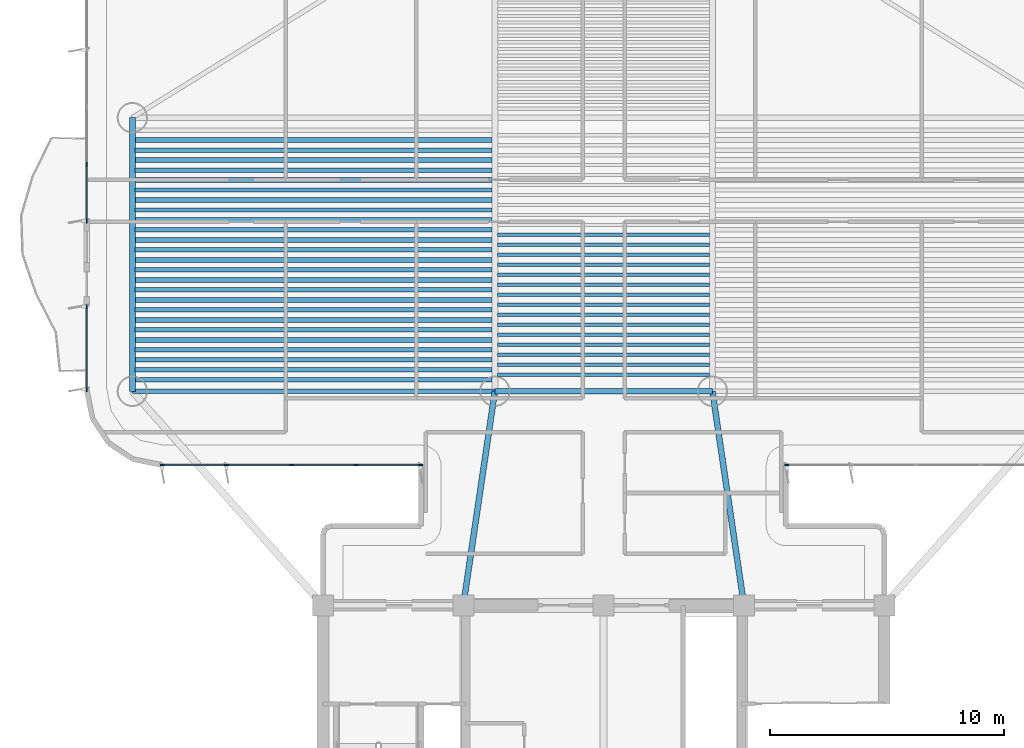
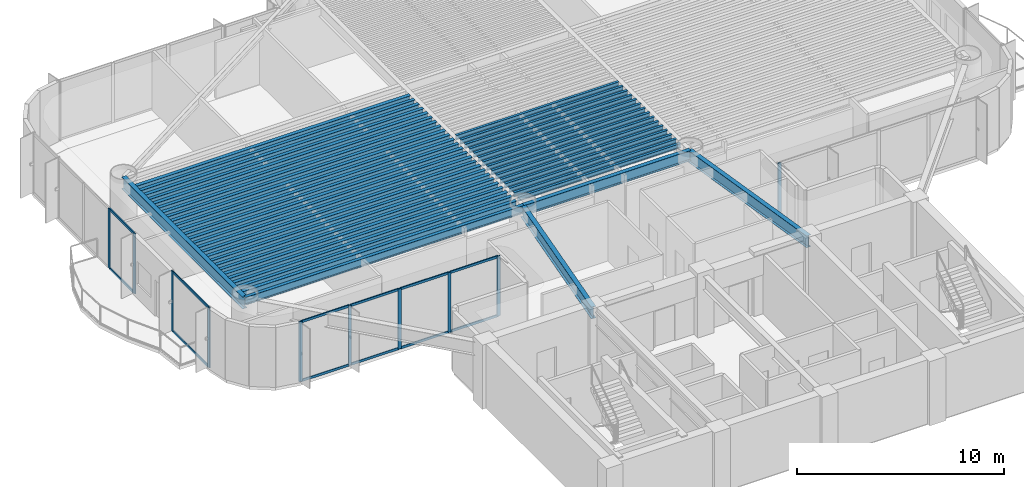
# One storey, part 2 of 16: 45 beams, 22 members, 4 elements without a shape of their own.
"""IFC4 building model written with IfcOpenShell, lengths in metres."""

from ifc_helpers import new_model, si_unit, direction, frame, origin, origin_2d, place, context, subcontext, project, spatial, rectangle, i_section, extrude, source, transform, mapped, material, layer, layer_set, material_profile, profile_set, type_object, element, aggregate, save


model = new_model("IFC4")

# Units and contexts
model_context = context("Model", 3, precision=1e-05, world=origin(), true_north=direction((0.0, 1.0)))
body_context = subcontext(model_context, "Body", "Model", "MODEL_VIEW")
ifc_project = project(units=[si_unit("LENGTHUNIT", "METRE"), si_unit("AREAUNIT", "SQUARE_METRE"), si_unit("VOLUMEUNIT", "CUBIC_METRE"), si_unit("PLANEANGLEUNIT", "RADIAN"), si_unit("MASSUNIT", "GRAM", prefix="KILO")], contexts=[model_context])

# Site, building, storey
site_placement = place(None, origin())
site = spatial("IfcSite", under=ifc_project, at=site_placement, CompositionType="ELEMENT")
building_placement = place(site_placement, origin())
building = spatial("IfcBuilding", under=site, at=building_placement, Name="Brelvock Crest Care Tower", CompositionType="ELEMENT")
storey_placement = place(building_placement, frame((0.0, 0.0, 120.06005859375)))
storey = spatial("IfcBuildingStorey", under=building, at=storey_placement, Name="L30", CompositionType="ELEMENT", Elevation=120.06005859375)

# Beams
ifc_material_1 = material(Name="Steel Grade 350", Category="steel")
ifc_material_profile_1 = material_profile(ifc_material_1, i_section(OverallWidth=0.22900390625, OverallDepth=0.612060546875, WebThickness=0.011962890625, FlangeThickness=0.01953125, FilletRadius=0.013916015625, at=origin_2d()), Name="610UB125")
ifc_profile_set_1 = profile_set([ifc_material_profile_1], Name="Steel Grade 350")
beam_type_1 = type_object("IfcBeamType", Name="BM-G1", PredefinedType="BEAM", material=ifc_profile_set_1)
shared_shape_1 = source(origin(), body_context, "Body", "SweptSolid", [
    extrude(i_section(OverallWidth=0.22900390625, OverallDepth=0.612060546875, WebThickness=0.011962890625, FlangeThickness=0.01953125, FilletRadius=0.013916015625, at=origin_2d()), origin(), (0.0, 0.0, 1.0), 9.2998046875),
])
beam_1_placement = place(storey_placement, frame((31.35009765625, 27.14990234375, 3.223876953125), z_axis=(1.0, 0.0, 0.0), x_axis=(0.0, 1.0, 0.0)))
element("IfcBeam", 1, at=beam_1_placement, inside=storey, type_object=beam_type_1, Name="BM-TWR-L30-05", PredefinedType="BEAM", context=body_context, shape_type="MappedRepresentation", body=[
    mapped(shared_shape_1, transform((0.0, 0.0, 0.0), x_axis=(1.0, 0.0, 0.0), y_axis=(0.0, 1.0, 0.0), z_axis=(0.0, 0.0, 1.0), scale=1.0)),
])
ifc_material_profile_2 = material_profile(ifc_material_1, i_section(OverallWidth=0.14599609375, OverallDepth=0.256103515625, WebThickness=0.00634765625, FlangeThickness=0.010986328125, FilletRadius=0.0087890625, at=origin_2d()), Name="250UB37.3")
ifc_profile_set_2 = profile_set([ifc_material_profile_2], Name="Steel Grade 350")
beam_type_2 = type_object("IfcBeamType", Name="BM-J3", PredefinedType="JOIST", material=ifc_profile_set_2)
shared_shape_2 = source(origin(), body_context, "Body", "SweptSolid", [
    extrude(i_section(OverallWidth=0.14599609375, OverallDepth=0.256103515625, WebThickness=0.00634765625, FlangeThickness=0.010986328125, FilletRadius=0.0087890625, at=origin_2d()), origin(), (0.0, 0.0, 1.0), 9.06982421875),
])
for number, where, z_axis, x_axis, name in (
    (2, (31.465087890625, 27.85498046875, 3.40185546875), (1.0, 0.0, 0.0), (0.0, 1.0, 0.0), "BM-JH-L30-1"),
    (3, (31.465087890625, 28.281982421875, 3.40185546875), (1.0, 0.0, 0.0), (0.0, 1.0, 0.0), "BM-JH-L30-2"),
    (4, (31.465087890625, 28.708984375, 3.40185546875), (1.0, 0.0, 0.0), (0.0, 1.0, 0.0), "BM-JH-L30-3"),
    (5, (31.465087890625, 29.135986328125, 3.40185546875), (1.0, 0.0, 0.0), (0.0, 1.0, 0.0), "BM-JH-L30-4"),
    (6, (31.465087890625, 29.56298828125, 3.40185546875), (1.0, 0.0, 0.0), (0.0, 1.0, 0.0), "BM-JH-L30-5"),
    (7, (31.465087890625, 29.990234375, 3.40185546875), (1.0, 0.0, 0.0), (0.0, 1.0, 0.0), "BM-JH-L30-6"),
    (8, (31.465087890625, 30.417236328125, 3.40185546875), (1.0, 0.0, 0.0), (0.0, 1.0, 0.0), "BM-JH-L30-7"),
    (9, (31.465087890625, 30.84423828125, 3.40185546875), (1.0, 0.0, 0.0), (0.0, 1.0, 0.0), "BM-JH-L30-8"),
    (10, (31.465087890625, 31.271240234375, 3.40185546875), (1.0, 0.0, 0.0), (0.0, 1.0, 0.0), "BM-JH-L30-9"),
    (11, (31.465087890625, 31.698486328125, 3.40185546875), (1.0, 0.0, 0.0), (0.0, 1.0, 0.0), "BM-JH-L30-10"),
    (12, (31.465087890625, 32.12548828125, 3.40185546875), (1.0, 0.0, 0.0), (0.0, 1.0, 0.0), "BM-JH-L30-11"),
    (13, (31.465087890625, 32.552490234375, 3.40185546875), (1.0, 0.0, 0.0), (0.0, 1.0, 0.0), "BM-JH-L30-12"),
    (14, (31.465087890625, 32.9794921875, 3.40185546875), (1.0, 0.0, 0.0), (0.0, 1.0, 0.0), "BM-JH-L30-13"),
    (15, (31.465087890625, 33.406494140625, 3.40185546875), (1.0, 0.0, 0.0), (0.0, 1.0, 0.0), "BM-JH-L30-14"),
    (16, (31.465087890625, 33.83349609375, 3.40185546875), (1.0, 0.0, 0.0), (0.0, 1.0, 0.0), "BM-JH-L30-15"),
):
    element("IfcBeam", number, at=place(storey_placement, frame(where, z_axis=z_axis, x_axis=x_axis)), inside=storey, type_object=beam_type_2, Name=name, PredefinedType="JOIST", context=body_context, shape_type="MappedRepresentation", body=[
        mapped(shared_shape_2, transform((0.0, 0.0, 0.0), x_axis=(1.0, 0.0, 0.0), y_axis=(0.0, 1.0, 0.0), z_axis=(0.0, 0.0, 1.0), scale=1.0)),
    ])
ifc_material_profile_3 = material_profile(ifc_material_1, i_section(OverallWidth=0.208984375, OverallDepth=0.532958984375, WebThickness=0.01025390625, FlangeThickness=0.015625, FilletRadius=0.013916015625, at=origin_2d()), Name="530UB92.4")
ifc_profile_set_3 = profile_set([ifc_material_profile_3], Name="Steel Grade 350")
beam_type_3 = type_object("IfcBeamType", Name="BM-G2", PredefinedType="BEAM", material=ifc_profile_set_3)
shared_shape_3 = source(origin(), body_context, "Body", "SweptSolid", [
    extrude(i_section(OverallWidth=0.208984375, OverallDepth=0.532958984375, WebThickness=0.01025390625, FlangeThickness=0.015625, FilletRadius=0.013916015625, at=origin_2d()), origin(), (0.0, 0.0, 1.0), 15.27001953125),
])
for number, where, z_axis, x_axis, name in (
    (17, (15.965087890625, 27.641357421875, 3.263427734375), (1.0, 0.0, 0.0), (0.0, 1.0, 0.0), "BM-JW-L30-1"),
    (18, (15.965087890625, 28.49560546875, 3.263427734375), (1.0, 0.0, 0.0), (0.0, 1.0, 0.0), "BM-JW-L30-3"),
    (19, (15.965087890625, 29.349609375, 3.263427734375), (1.0, 0.0, 0.0), (0.0, 1.0, 0.0), "BM-JW-L30-5"),
    (20, (15.965087890625, 30.20361328125, 3.263427734375), (1.0, 0.0, 0.0), (0.0, 1.0, 0.0), "BM-JW-L30-7"),
    (21, (15.965087890625, 31.057861328125, 3.263427734375), (1.0, 0.0, 0.0), (0.0, 1.0, 0.0), "BM-JW-L30-9"),
    (22, (15.965087890625, 31.911865234375, 3.263427734375), (1.0, 0.0, 0.0), (0.0, 1.0, 0.0), "BM-JW-L30-11"),
    (23, (15.965087890625, 32.76611328125, 3.263427734375), (1.0, 0.0, 0.0), (0.0, 1.0, 0.0), "BM-JW-L30-13"),
    (24, (15.965087890625, 33.6201171875, 3.263427734375), (1.0, 0.0, 0.0), (0.0, 1.0, 0.0), "BM-JW-L30-15"),
    (25, (15.965087890625, 34.47412109375, 3.263427734375), (1.0, 0.0, 0.0), (0.0, 1.0, 0.0), "BM-JW-L30-17"),
    (26, (15.965087890625, 35.328369140625, 3.263427734375), (1.0, 0.0, 0.0), (0.0, 1.0, 0.0), "BM-JW-L30-19"),
    (27, (15.965087890625, 36.182373046875, 3.263427734375), (1.0, 0.0, 0.0), (0.0, 1.0, 0.0), "BM-JW-L30-21"),
    (28, (15.965087890625, 37.03662109375, 3.263427734375), (1.0, 0.0, 0.0), (0.0, 1.0, 0.0), "BM-JW-L30-23"),
    (29, (15.965087890625, 37.890625, 3.263427734375), (1.0, 0.0, 0.0), (0.0, 1.0, 0.0), "BM-JW-L30-25"),
):
    element("IfcBeam", number, at=place(storey_placement, frame(where, z_axis=z_axis, x_axis=x_axis)), inside=storey, type_object=beam_type_3, Name=name, PredefinedType="BEAM", context=body_context, shape_type="MappedRepresentation", body=[
        mapped(shared_shape_3, transform((0.0, 0.0, 0.0), x_axis=(1.0, 0.0, 0.0), y_axis=(0.0, 1.0, 0.0), z_axis=(0.0, 0.0, 1.0), scale=1.0)),
    ])
ifc_material_profile_4 = material_profile(ifc_material_1, i_section(OverallWidth=0.19091796875, OverallDepth=0.4599609375, WebThickness=0.010009765625, FlangeThickness=0.01611328125, FilletRadius=0.011474609375, at=origin_2d()), Name="460UB82.1")
ifc_profile_set_4 = profile_set([ifc_material_profile_4], Name="Steel Grade 350")
beam_type_4 = type_object("IfcBeamType", Name="BM-G3", PredefinedType="BEAM", material=ifc_profile_set_4)
shared_shape_4 = source(origin(), body_context, "Body", "SweptSolid", [
    extrude(i_section(OverallWidth=0.19091796875, OverallDepth=0.4599609375, WebThickness=0.010009765625, FlangeThickness=0.01611328125, FilletRadius=0.011474609375, at=origin_2d()), origin(), (0.0, 0.0, 1.0), 15.27001953125),
])
for number, where, z_axis, x_axis, name in (
    (30, (15.965087890625, 28.068359375, 3.300048828125), (1.0, 0.0, 0.0), (0.0, 1.0, 0.0), "BM-JW-L30-2"),
    (31, (15.965087890625, 28.922607421875, 3.300048828125), (1.0, 0.0, 0.0), (0.0, 1.0, 0.0), "BM-JW-L30-4"),
    (32, (15.965087890625, 29.776611328125, 3.300048828125), (1.0, 0.0, 0.0), (0.0, 1.0, 0.0), "BM-JW-L30-6"),
    (33, (15.965087890625, 30.630615234375, 3.300048828125), (1.0, 0.0, 0.0), (0.0, 1.0, 0.0), "BM-JW-L30-8"),
    (34, (15.965087890625, 31.48486328125, 3.300048828125), (1.0, 0.0, 0.0), (0.0, 1.0, 0.0), "BM-JW-L30-10"),
    (35, (15.965087890625, 32.3388671875, 3.300048828125), (1.0, 0.0, 0.0), (0.0, 1.0, 0.0), "BM-JW-L30-12"),
    (36, (15.965087890625, 33.193115234375, 3.300048828125), (1.0, 0.0, 0.0), (0.0, 1.0, 0.0), "BM-JW-L30-14"),
    (37, (15.965087890625, 34.047119140625, 3.300048828125), (1.0, 0.0, 0.0), (0.0, 1.0, 0.0), "BM-JW-L30-16"),
    (38, (15.965087890625, 34.901123046875, 3.300048828125), (1.0, 0.0, 0.0), (0.0, 1.0, 0.0), "BM-JW-L30-18"),
    (39, (15.965087890625, 35.75537109375, 3.300048828125), (1.0, 0.0, 0.0), (0.0, 1.0, 0.0), "BM-JW-L30-20"),
    (40, (15.965087890625, 36.609619140625, 3.300048828125), (1.0, 0.0, 0.0), (0.0, 1.0, 0.0), "BM-JW-L30-22"),
    (41, (15.965087890625, 37.46337890625, 3.300048828125), (1.0, 0.0, 0.0), (0.0, 1.0, 0.0), "BM-JW-L30-24"),
):
    element("IfcBeam", number, at=place(storey_placement, frame(where, z_axis=z_axis, x_axis=x_axis)), inside=storey, type_object=beam_type_4, Name=name, PredefinedType="BEAM", context=body_context, shape_type="MappedRepresentation", body=[
        mapped(shared_shape_4, transform((0.0, 0.0, 0.0), x_axis=(1.0, 0.0, 0.0), y_axis=(0.0, 1.0, 0.0), z_axis=(0.0, 0.0, 1.0), scale=1.0)),
    ])
ifc_material_profile_5 = material_profile(ifc_material_1, i_section(OverallWidth=0.25, OverallDepth=0.699951171875, WebThickness=0.011962890625, FlangeThickness=0.02001953125, at=origin_2d()), Name="700WB150")
ifc_profile_set_5 = profile_set([ifc_material_profile_5], Name="Steel Grade 350")
beam_type_5 = type_object("IfcBeamType", Name="BM-G4", PredefinedType="BEAM", material=ifc_profile_set_5)
shared_shape_5 = source(origin(), body_context, "Body", "SweptSolid", [
    extrude(i_section(OverallWidth=0.25, OverallDepth=0.699951171875, WebThickness=0.011962890625, FlangeThickness=0.02001953125, at=origin_2d()), origin(), (0.0, 0.0, 1.0), 11.7001953125),
])
beam_2_placement = place(storey_placement, frame((15.85009765625, 27.14990234375, 3.179931640625), z_axis=(0.0, 1.0, 0.0), x_axis=(-1.0, 0.0, 0.0)))
element("IfcBeam", 42, at=beam_2_placement, inside=storey, type_object=beam_type_5, Name="BM-TWR-L30-01", PredefinedType="BEAM", context=body_context, shape_type="MappedRepresentation", body=[
    mapped(shared_shape_5, transform((0.0, 0.0, 0.0), x_axis=(1.0, 0.0, 0.0), y_axis=(0.0, 1.0, 0.0), z_axis=(0.0, 0.0, 1.0), scale=1.0)),
])
ifc_material_profile_6 = material_profile(ifc_material_1, i_section(OverallWidth=0.19091796875, OverallDepth=0.4599609375, WebThickness=0.010009765625, FlangeThickness=0.01611328125, FilletRadius=0.011474609375, at=origin_2d()), Name="460UB82.1")
ifc_profile_set_6 = profile_set([ifc_material_profile_6], Name="Steel Grade 350")
beam_type_6 = type_object("IfcBeamType", Name="BM-SP2", PredefinedType="SPANDREL", material=ifc_profile_set_6)
shared_shape_6 = source(origin(), body_context, "Body", "SweptSolid", [
    extrude(i_section(OverallWidth=0.19091796875, OverallDepth=0.4599609375, WebThickness=0.010009765625, FlangeThickness=0.01611328125, FilletRadius=0.011474609375, at=origin_2d()), origin(), (0.0, 0.0, 1.0), 15.5),
])
beam_3_placement = place(storey_placement, frame((15.85009765625, 27.14990234375, 3.300048828125), z_axis=(1.0, 0.0, 0.0), x_axis=(0.0, 1.0, 0.0)))
element("IfcBeam", 43, at=beam_3_placement, inside=storey, type_object=beam_type_6, Name="BM-TWR-L30-03", PredefinedType="SPANDREL", context=body_context, shape_type="MappedRepresentation", body=[
    mapped(shared_shape_6, transform((0.0, 0.0, 0.0), x_axis=(1.0, 0.0, 0.0), y_axis=(0.0, 1.0, 0.0), z_axis=(0.0, 0.0, 1.0), scale=1.0)),
])
shared_shape_7 = source(origin(), body_context, "Body", "SweptSolid", [
    extrude(i_section(OverallWidth=0.25, OverallDepth=0.699951171875, WebThickness=0.011962890625, FlangeThickness=0.02001953125, at=origin_2d()), origin(), (0.0, 0.0, 1.0), 9.2490234375),
])
for number, where, z_axis, x_axis, name in (
    (44, (30.0, 18.0, 3.179931640625), (0.145972731602, 0.989288613918, 0.0), (-0.989288613918, 0.145972731602, 0.0), "BM-THRW-L30"),
    (45, (42.0, 18.0, 3.179931640625), (-0.145972731602, 0.989288613918, 0.0), (-0.989288613918, -0.145972731602, 0.0), "BM-THRE-L30"),
):
    element("IfcBeam", number, at=place(storey_placement, frame(where, z_axis=z_axis, x_axis=x_axis)), inside=storey, type_object=beam_type_5, Name=name, PredefinedType="BEAM", context=body_context, shape_type="MappedRepresentation", body=[
        mapped(shared_shape_7, transform((0.0, 0.0, 0.0), x_axis=(1.0, 0.0, 0.0), y_axis=(0.0, 1.0, 0.0), z_axis=(0.0, 0.0, 1.0), scale=1.0)),
    ])

# Curtain wall, members
ifc_material_2 = material(Name="Dark Glass Double Glazed Low-E", Category="glass")
ifc_layer = layer(ifc_material_2, 0.2099609375, Name="CWS-3")
ifc_layer_set = layer_set([ifc_layer], Name="Dark Glass Double Glazed Low-E")
curtain_wall_type = type_object("IfcCurtainWallType", Name="CWS-3", PredefinedType="NOTDEFINED", material=ifc_layer_set)
curtain_wall_1_placement = place(storey_placement, origin())
curtain_wall_1 = element("IfcCurtainWall", 46, at=curtain_wall_1_placement, inside=storey, type_object=curtain_wall_type, Name="L30 Curtain Wall E12", PredefinedType="NOTDEFINED")
ifc_material_3 = material(Name="Aluminium 6063-T6", Category="aluminium")
ifc_material_profile_7 = material_profile(ifc_material_3, rectangle(XDim=0.06005859375, YDim=0.179931640625, at=origin_2d()), Name="ALU60x180")
ifc_profile_set_7 = profile_set([ifc_material_profile_7], Name="Aluminium 6063-T6")
member_type_1 = type_object("IfcMemberType", Name="CWM-2", PredefinedType="MULLION", material=ifc_profile_set_7)
shared_shape_8 = source(origin(), body_context, "Body", "SweptSolid", [
    extrude(rectangle(XDim=0.06005859375, YDim=0.179931640625, at=origin_2d()), origin(), (0.0, 0.0, 1.0), 3.530029296875),
])
member_1_placement = place(storey_placement, frame((28.169921875, 24.0, 0.0), z_axis=(0.0, 0.0, 1.0), x_axis=(0.0, -1.0, 0.0)))
member_1 = element("IfcMember", 47, at=member_1_placement, type_object=member_type_1, Name="CW-3 mullion 1", PredefinedType="MULLION", context=body_context, shape_type="MappedRepresentation", body=[
    mapped(shared_shape_8, transform((0.0, 0.0, 0.0), x_axis=(1.0, 0.0, 0.0), y_axis=(0.0, 1.0, 0.0), z_axis=(0.0, 0.0, 1.0), scale=1.0)),
])
member_2_placement = place(storey_placement, frame((25.425048828125, 24.0, 0.0), z_axis=(0.0, 0.0, 1.0), x_axis=(0.0, -1.0, 0.0)))
member_2 = element("IfcMember", 48, at=member_2_placement, type_object=member_type_1, Name="CW-3 mullion 2", PredefinedType="MULLION", context=body_context, shape_type="MappedRepresentation", body=[
    mapped(shared_shape_8, transform((0.0, 0.0, 0.0), x_axis=(1.0, 0.0, 0.0), y_axis=(0.0, 1.0, 0.0), z_axis=(0.0, 0.0, 1.0), scale=1.0)),
])
member_3_placement = place(storey_placement, frame((22.64990234375, 24.0, 0.0), z_axis=(0.0, 0.0, 1.0), x_axis=(0.0, -1.0, 0.0)))
member_3 = element("IfcMember", 49, at=member_3_placement, type_object=member_type_1, Name="CW-3 mullion 3", PredefinedType="MULLION", context=body_context, shape_type="MappedRepresentation", body=[
    mapped(shared_shape_8, transform((0.0, 0.0, 0.0), x_axis=(1.0, 0.0, 0.0), y_axis=(0.0, 1.0, 0.0), z_axis=(0.0, 0.0, 1.0), scale=1.0)),
])
member_4_placement = place(storey_placement, frame((19.875, 24.0, 0.0), z_axis=(0.0, 0.0, 1.0), x_axis=(0.0, -1.0, 0.0)))
member_4 = element("IfcMember", 50, at=member_4_placement, type_object=member_type_1, Name="CW-3 mullion 4", PredefinedType="MULLION", context=body_context, shape_type="MappedRepresentation", body=[
    mapped(shared_shape_8, transform((0.0, 0.0, 0.0), x_axis=(1.0, 0.0, 0.0), y_axis=(0.0, 1.0, 0.0), z_axis=(0.0, 0.0, 1.0), scale=1.0)),
])
member_5_placement = place(storey_placement, frame((17.1298828125, 24.0, 0.0), z_axis=(0.0, 0.0, 1.0), x_axis=(0.0, -1.0, 0.0)))
member_5 = element("IfcMember", 51, at=member_5_placement, type_object=member_type_1, Name="CW-3 mullion 5", PredefinedType="MULLION", context=body_context, shape_type="MappedRepresentation", body=[
    mapped(shared_shape_8, transform((0.0, 0.0, 0.0), x_axis=(1.0, 0.0, 0.0), y_axis=(0.0, 1.0, 0.0), z_axis=(0.0, 0.0, 1.0), scale=1.0)),
])

curtain_wall_2_placement = place(storey_placement, origin())
curtain_wall_2 = element("IfcCurtainWall", 52, at=curtain_wall_2_placement, inside=storey, type_object=curtain_wall_type, Name="L30 Curtain Wall E17A", PredefinedType="NOTDEFINED")
member_6_placement = place(storey_placement, frame((13.89990234375, 27.22998046875, 0.0), z_axis=(0.0, 0.0, 1.0), x_axis=(-1.0, 0.0, 0.0)))
member_6 = element("IfcMember", 53, at=member_6_placement, type_object=member_type_1, Name="CW-3 mullion 1", PredefinedType="MULLION", context=body_context, shape_type="MappedRepresentation", body=[
    mapped(shared_shape_8, transform((0.0, 0.0, 0.0), x_axis=(1.0, 0.0, 0.0), y_axis=(0.0, 1.0, 0.0), z_axis=(0.0, 0.0, 1.0), scale=1.0)),
])
member_7_placement = place(storey_placement, frame((13.89990234375, 30.77001953125, 0.0), z_axis=(0.0, 0.0, 1.0), x_axis=(-1.0, 0.0, 0.0)))
member_7 = element("IfcMember", 54, at=member_7_placement, type_object=member_type_1, Name="CW-3 mullion 2", PredefinedType="MULLION", context=body_context, shape_type="MappedRepresentation", body=[
    mapped(shared_shape_8, transform((0.0, 0.0, 0.0), x_axis=(1.0, 0.0, 0.0), y_axis=(0.0, 1.0, 0.0), z_axis=(0.0, 0.0, 1.0), scale=1.0)),
])

curtain_wall_3_placement = place(storey_placement, origin())
curtain_wall_3 = element("IfcCurtainWall", 55, at=curtain_wall_3_placement, inside=storey, type_object=curtain_wall_type, Name="L30 Curtain Wall E17B", PredefinedType="NOTDEFINED")
member_8_placement = place(storey_placement, frame((13.89990234375, 34.429931640625, 0.0), z_axis=(0.0, 0.0, 1.0), x_axis=(-1.0, 0.0, 0.0)))
member_8 = element("IfcMember", 56, at=member_8_placement, type_object=member_type_1, Name="CW-3 mullion 1", PredefinedType="MULLION", context=body_context, shape_type="MappedRepresentation", body=[
    mapped(shared_shape_8, transform((0.0, 0.0, 0.0), x_axis=(1.0, 0.0, 0.0), y_axis=(0.0, 1.0, 0.0), z_axis=(0.0, 0.0, 1.0), scale=1.0)),
])
member_9_placement = place(storey_placement, frame((13.89990234375, 36.85009765625, 0.0), z_axis=(0.0, 0.0, 1.0), x_axis=(-1.0, 0.0, 0.0)))
member_9 = element("IfcMember", 57, at=member_9_placement, type_object=member_type_1, Name="CW-3 mullion 2", PredefinedType="MULLION", context=body_context, shape_type="MappedRepresentation", body=[
    mapped(shared_shape_8, transform((0.0, 0.0, 0.0), x_axis=(1.0, 0.0, 0.0), y_axis=(0.0, 1.0, 0.0), z_axis=(0.0, 0.0, 1.0), scale=1.0)),
])

# Curtain wall, member
curtain_wall_4_placement = place(storey_placement, origin())
curtain_wall_4 = element("IfcCurtainWall", 58, at=curtain_wall_4_placement, inside=storey, type_object=curtain_wall_type, Name="L30 Curtain Wall E44", PredefinedType="NOTDEFINED")
member_10_placement = place(storey_placement, frame((43.830078125, 24.0, 0.0), z_axis=(0.0, 0.0, 1.0), x_axis=(0.0, -1.0, 0.0)))
member_10 = element("IfcMember", 59, at=member_10_placement, type_object=member_type_1, Name="CW-3 mullion 5", PredefinedType="MULLION", context=body_context, shape_type="MappedRepresentation", body=[
    mapped(shared_shape_8, transform((0.0, 0.0, 0.0), x_axis=(1.0, 0.0, 0.0), y_axis=(0.0, 1.0, 0.0), z_axis=(0.0, 0.0, 1.0), scale=1.0)),
])
aggregate(curtain_wall_4, [member_10])

# Member
ifc_material_profile_8 = material_profile(ifc_material_3, rectangle(XDim=0.06005859375, YDim=0.139892578125, at=origin_2d()), Name="ALU60x140")
ifc_profile_set_8 = profile_set([ifc_material_profile_8], Name="Aluminium 6063-T6")
member_type_2 = type_object("IfcMemberType", Name="CWT-2", PredefinedType="USERDEFINED", material=ifc_profile_set_8)
shared_shape_9 = source(origin(), body_context, "Body", "SweptSolid", [
    extrude(rectangle(XDim=0.06005859375, YDim=0.139892578125, at=origin_2d()), origin(), (0.0, 0.0, 1.0), 2.684814453125),
])
member_11_placement = place(storey_placement, frame((28.139892578125, 24.0, 0.030029296875), z_axis=(-1.0, 0.0, 0.0), x_axis=(0.0, -1.0, 0.0)))
member_11 = element("IfcMember", 60, at=member_11_placement, type_object=member_type_2, Name="CW-3 transom 1.1", ObjectType="TRANSOM", PredefinedType="USERDEFINED", context=body_context, shape_type="MappedRepresentation", body=[
    mapped(shared_shape_9, transform((0.0, 0.0, 0.0), x_axis=(1.0, 0.0, 0.0), y_axis=(0.0, 1.0, 0.0), z_axis=(0.0, 0.0, 1.0), scale=1.0)),
])

member_12_placement = place(storey_placement, frame((28.139892578125, 24.0, 3.5), z_axis=(-1.0, 0.0, 0.0), x_axis=(0.0, -1.0, 0.0)))
member_12 = element("IfcMember", 61, at=member_12_placement, type_object=member_type_2, Name="CW-3 transom 1.2", ObjectType="TRANSOM", PredefinedType="USERDEFINED", context=body_context, shape_type="MappedRepresentation", body=[
    mapped(shared_shape_9, transform((0.0, 0.0, 0.0), x_axis=(1.0, 0.0, 0.0), y_axis=(0.0, 1.0, 0.0), z_axis=(0.0, 0.0, 1.0), scale=1.0)),
])

shared_shape_10 = source(origin(), body_context, "Body", "SweptSolid", [
    extrude(rectangle(XDim=0.06005859375, YDim=0.139892578125, at=origin_2d()), origin(), (0.0, 0.0, 1.0), 2.715087890625),
])
member_13_placement = place(storey_placement, frame((25.39501953125, 24.0, 0.030029296875), z_axis=(-1.0, 0.0, 0.0), x_axis=(0.0, -1.0, 0.0)))
member_13 = element("IfcMember", 62, at=member_13_placement, type_object=member_type_2, Name="CW-3 transom 2.1", ObjectType="TRANSOM", PredefinedType="USERDEFINED", context=body_context, shape_type="MappedRepresentation", body=[
    mapped(shared_shape_10, transform((0.0, 0.0, 0.0), x_axis=(1.0, 0.0, 0.0), y_axis=(0.0, 1.0, 0.0), z_axis=(0.0, 0.0, 1.0), scale=1.0)),
])

member_14_placement = place(storey_placement, frame((25.39501953125, 24.0, 3.5), z_axis=(-1.0, 0.0, 0.0), x_axis=(0.0, -1.0, 0.0)))
member_14 = element("IfcMember", 63, at=member_14_placement, type_object=member_type_2, Name="CW-3 transom 2.2", ObjectType="TRANSOM", PredefinedType="USERDEFINED", context=body_context, shape_type="MappedRepresentation", body=[
    mapped(shared_shape_10, transform((0.0, 0.0, 0.0), x_axis=(1.0, 0.0, 0.0), y_axis=(0.0, 1.0, 0.0), z_axis=(0.0, 0.0, 1.0), scale=1.0)),
])

member_15_placement = place(storey_placement, frame((22.6201171875, 24.0, 0.030029296875), z_axis=(-1.0, 0.0, 0.0), x_axis=(0.0, -1.0, 0.0)))
member_15 = element("IfcMember", 64, at=member_15_placement, type_object=member_type_2, Name="CW-3 transom 3.1", ObjectType="TRANSOM", PredefinedType="USERDEFINED", context=body_context, shape_type="MappedRepresentation", body=[
    mapped(shared_shape_10, transform((0.0, 0.0, 0.0), x_axis=(1.0, 0.0, 0.0), y_axis=(0.0, 1.0, 0.0), z_axis=(0.0, 0.0, 1.0), scale=1.0)),
])

member_16_placement = place(storey_placement, frame((22.6201171875, 24.0, 3.5), z_axis=(-1.0, 0.0, 0.0), x_axis=(0.0, -1.0, 0.0)))
member_16 = element("IfcMember", 65, at=member_16_placement, type_object=member_type_2, Name="CW-3 transom 3.2", ObjectType="TRANSOM", PredefinedType="USERDEFINED", context=body_context, shape_type="MappedRepresentation", body=[
    mapped(shared_shape_10, transform((0.0, 0.0, 0.0), x_axis=(1.0, 0.0, 0.0), y_axis=(0.0, 1.0, 0.0), z_axis=(0.0, 0.0, 1.0), scale=1.0)),
])

shared_shape_11 = source(origin(), body_context, "Body", "SweptSolid", [
    extrude(rectangle(XDim=0.06005859375, YDim=0.139892578125, at=origin_2d()), origin(), (0.0, 0.0, 1.0), 2.68505859375),
])
member_17_placement = place(storey_placement, frame((19.844970703125, 24.0, 0.030029296875), z_axis=(-1.0, 0.0, 0.0), x_axis=(0.0, -1.0, 0.0)))
member_17 = element("IfcMember", 66, at=member_17_placement, type_object=member_type_2, Name="CW-3 transom 4.1", ObjectType="TRANSOM", PredefinedType="USERDEFINED", context=body_context, shape_type="MappedRepresentation", body=[
    mapped(shared_shape_11, transform((0.0, 0.0, 0.0), x_axis=(1.0, 0.0, 0.0), y_axis=(0.0, 1.0, 0.0), z_axis=(0.0, 0.0, 1.0), scale=1.0)),
])

member_18_placement = place(storey_placement, frame((19.844970703125, 24.0, 3.5), z_axis=(-1.0, 0.0, 0.0), x_axis=(0.0, -1.0, 0.0)))
member_18 = element("IfcMember", 67, at=member_18_placement, type_object=member_type_2, Name="CW-3 transom 4.2", ObjectType="TRANSOM", PredefinedType="USERDEFINED", context=body_context, shape_type="MappedRepresentation", body=[
    mapped(shared_shape_11, transform((0.0, 0.0, 0.0), x_axis=(1.0, 0.0, 0.0), y_axis=(0.0, 1.0, 0.0), z_axis=(0.0, 0.0, 1.0), scale=1.0)),
])

aggregate(curtain_wall_1, [member_1, member_2, member_3, member_4, member_5, member_11, member_12, member_13, member_14, member_15, member_16, member_17, member_18])

shared_shape_12 = source(origin(), body_context, "Body", "SweptSolid", [
    extrude(rectangle(XDim=0.06005859375, YDim=0.139892578125, at=origin_2d()), origin(), (0.0, 0.0, 1.0), 3.47998046875),
])
member_19_placement = place(storey_placement, frame((13.89990234375, 27.260009765625, 0.030029296875), z_axis=(0.0, 1.0, 0.0), x_axis=(-1.0, 0.0, 0.0)))
member_19 = element("IfcMember", 68, at=member_19_placement, type_object=member_type_2, Name="CW-3 transom 1.1", ObjectType="TRANSOM", PredefinedType="USERDEFINED", context=body_context, shape_type="MappedRepresentation", body=[
    mapped(shared_shape_12, transform((0.0, 0.0, 0.0), x_axis=(1.0, 0.0, 0.0), y_axis=(0.0, 1.0, 0.0), z_axis=(0.0, 0.0, 1.0), scale=1.0)),
])

member_20_placement = place(storey_placement, frame((13.89990234375, 27.260009765625, 3.5), z_axis=(0.0, 1.0, 0.0), x_axis=(-1.0, 0.0, 0.0)))
member_20 = element("IfcMember", 69, at=member_20_placement, type_object=member_type_2, Name="CW-3 transom 1.2", ObjectType="TRANSOM", PredefinedType="USERDEFINED", context=body_context, shape_type="MappedRepresentation", body=[
    mapped(shared_shape_12, transform((0.0, 0.0, 0.0), x_axis=(1.0, 0.0, 0.0), y_axis=(0.0, 1.0, 0.0), z_axis=(0.0, 0.0, 1.0), scale=1.0)),
])

aggregate(curtain_wall_2, [member_6, member_7, member_19, member_20])

shared_shape_13 = source(origin(), body_context, "Body", "SweptSolid", [
    extrude(rectangle(XDim=0.06005859375, YDim=0.139892578125, at=origin_2d()), origin(), (0.0, 0.0, 1.0), 2.360107421875),
])
member_21_placement = place(storey_placement, frame((13.89990234375, 34.4599609375, 0.030029296875), z_axis=(0.0, 1.0, 0.0), x_axis=(-1.0, 0.0, 0.0)))
member_21 = element("IfcMember", 70, at=member_21_placement, type_object=member_type_2, Name="CW-3 transom 1.1", ObjectType="TRANSOM", PredefinedType="USERDEFINED", context=body_context, shape_type="MappedRepresentation", body=[
    mapped(shared_shape_13, transform((0.0, 0.0, 0.0), x_axis=(1.0, 0.0, 0.0), y_axis=(0.0, 1.0, 0.0), z_axis=(0.0, 0.0, 1.0), scale=1.0)),
])

member_22_placement = place(storey_placement, frame((13.89990234375, 34.4599609375, 3.5), z_axis=(0.0, 1.0, 0.0), x_axis=(-1.0, 0.0, 0.0)))
member_22 = element("IfcMember", 71, at=member_22_placement, type_object=member_type_2, Name="CW-3 transom 1.2", ObjectType="TRANSOM", PredefinedType="USERDEFINED", context=body_context, shape_type="MappedRepresentation", body=[
    mapped(shared_shape_13, transform((0.0, 0.0, 0.0), x_axis=(1.0, 0.0, 0.0), y_axis=(0.0, 1.0, 0.0), z_axis=(0.0, 0.0, 1.0), scale=1.0)),
])

aggregate(curtain_wall_3, [member_8, member_9, member_21, member_22])

save(model, "model.ifc")
